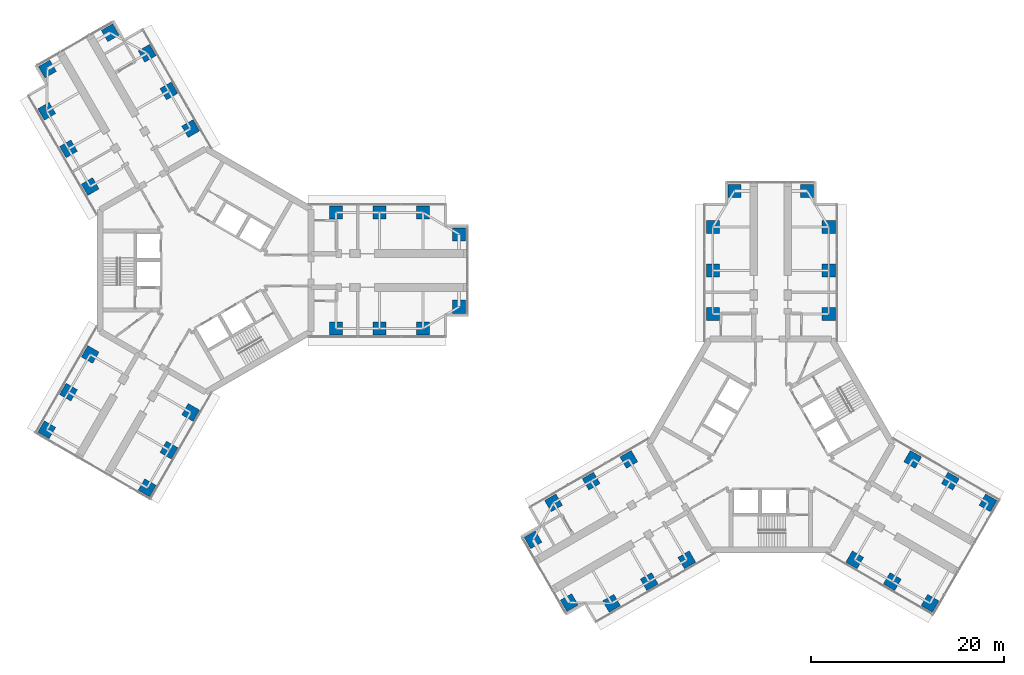
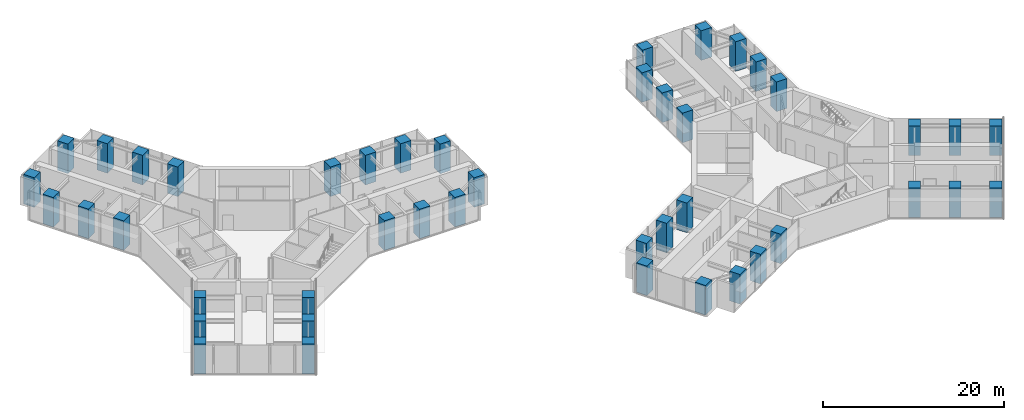
# One storey, part 1 of 21: 44 columns.
"""IFC4 building model written with IfcOpenShell, lengths in metres."""

from ifc_helpers import new_model, si_unit, direction, frame, origin, origin_2d, place, context, subcontext, project, spatial, rectangle, extrude, material, material_profile, profile_set, type_object, element, save


model = new_model("IFC4")

# Units and contexts
model_context = context("Model", 3, precision=1e-05, world=origin(), true_north=direction((0.0, 1.0)))
body_context = subcontext(model_context, "Body", "Model", "MODEL_VIEW")
ifc_project = project(units=[si_unit("LENGTHUNIT", "METRE"), si_unit("AREAUNIT", "SQUARE_METRE"), si_unit("VOLUMEUNIT", "CUBIC_METRE"), si_unit("PLANEANGLEUNIT", "RADIAN"), si_unit("MASSUNIT", "GRAM", prefix="KILO")], contexts=[model_context])

# Site, building, storey
site_placement = place(None, origin())
site = spatial("IfcSite", under=ifc_project, at=site_placement, CompositionType="ELEMENT")
building_placement = place(site_placement, origin())
building = spatial("IfcBuilding", under=site, at=building_placement, Name="Upepo Twin Towers", CompositionType="ELEMENT")
storey_placement = place(building_placement, frame((0.0, 0.0, 109.5)))
storey = spatial("IfcBuildingStorey", under=building, at=storey_placement, Name="L26", CompositionType="ELEMENT", Elevation=109.5)

# Columns
ifc_material = material(Name="Concrete C60/75", Category="concrete")
ifc_material_profile = material_profile(ifc_material, rectangle(XDim=1.35009765625, YDim=1.35009765625, at=origin_2d()), Name="RC 1350x1350")
ifc_profile_set = profile_set([ifc_material_profile], Name="Concrete C60/75")
column_type = type_object("IfcColumnType", Name="Tower column RC 1350x1350", PredefinedType="COLUMN", material=ifc_profile_set)
for number, where, z_axis, x_axis, name in (
    (1, (13.5, 6.0, 0.0), (0.0, 0.0, 1.0), (1.0, 0.0, 0.0), "T1 column AL135"),
    (2, (13.5, -6.0, 0.0), (0.0, 0.0, 1.0), (1.0, 0.0, 0.0), "T1 column AR135"),
    (3, (18.0, 6.0, 0.0), (0.0, 0.0, 1.0), (1.0, 0.0, 0.0), "T1 column AL180"),
    (4, (18.0, -6.0, 0.0), (0.0, 0.0, 1.0), (1.0, 0.0, 0.0), "T1 column AR180"),
    (5, (22.5, 6.0, 0.0), (0.0, 0.0, 1.0), (1.0, 0.0, 0.0), "T1 column AL225"),
    (6, (22.5, -6.0, 0.0), (0.0, 0.0, 1.0), (1.0, 0.0, 0.0), "T1 column AR225"),
    (7, (26.25, 3.75, 0.0), (0.0, 0.0, 1.0), (1.0, 0.0, 0.0), "T1 column ALN"),
    (8, (26.25, -3.75, 0.0), (0.0, 0.0, 1.0), (1.0, 0.0, 0.0), "T1 column ARN"),
    (9, (-11.946044921875, 8.69140625, 0.0), (0.0, 0.0, 1.0), (0.866025403784, 0.5, 0.0), "T1 column BL135"),
    (10, (-1.553955078125, 14.69140625, 0.0), (0.0, 0.0, 1.0), (0.866025403784, 0.5, 0.0), "T1 column BR135"),
    (11, (-14.196044921875, 12.58837890625, 0.0), (0.0, 0.0, 1.0), (0.866025403784, 0.5, 0.0), "T1 column BL180"),
    (12, (-3.803955078125, 18.58837890625, 0.0), (0.0, 0.0, 1.0), (0.866025403784, 0.5, 0.0), "T1 column BR180"),
    (13, (-16.446044921875, 16.485595703125, 0.0), (0.0, 0.0, 1.0), (0.866025403784, 0.5, 0.0), "T1 column BL225"),
    (14, (-6.053955078125, 22.485595703125, 0.0), (0.0, 0.0, 1.0), (0.866025403784, 0.5, 0.0), "T1 column BR225"),
    (15, (-16.37255859375, 20.858154296875, 0.0), (0.0, 0.0, 1.0), (0.866025403784, 0.5, 0.0), "T1 column BLN"),
    (16, (-9.87744140625, 24.608154296875, 0.0), (0.0, 0.0, 1.0), (0.866025403784, 0.5, 0.0), "T1 column BRN"),
    (17, (-1.553955078125, -14.69140625, 0.0), (0.0, 0.0, 1.0), (0.5, 0.866025403784, 0.0), "T1 column CL135"),
    (18, (-11.946044921875, -8.69140625, 0.0), (0.0, 0.0, 1.0), (0.5, 0.866025403784, 0.0), "T1 column CR135"),
    (19, (-3.803955078125, -18.58837890625, 0.0), (0.0, 0.0, 1.0), (0.5, 0.866025403784, 0.0), "T1 column CL180"),
    (20, (-14.196044921875, -12.58837890625, 0.0), (0.0, 0.0, 1.0), (0.5, 0.866025403784, 0.0), "T1 column CR180"),
    (21, (-6.053955078125, -22.485595703125, 0.0), (0.0, 0.0, 1.0), (0.5, 0.866025403784, 0.0), "T1 column CL225"),
    (22, (-16.446044921875, -16.485595703125, 0.0), (0.0, 0.0, 1.0), (0.5, 0.866025403784, 0.0), "T1 column CR225"),
    (23, (52.5, -4.5, 0.0), (0.0, 0.0, 1.0), (1.0, 0.0, 0.0), "T2 column AL135"),
    (24, (64.5, -4.5, 0.0), (0.0, 0.0, 1.0), (1.0, 0.0, 0.0), "T2 column AR135"),
    (25, (52.5, 0.0, 0.0), (0.0, 0.0, 1.0), (1.0, 0.0, 0.0), "T2 column AL180"),
    (26, (64.5, 0.0, 0.0), (0.0, 0.0, 1.0), (1.0, 0.0, 0.0), "T2 column AR180"),
    (27, (52.5, 4.5, 0.0), (0.0, 0.0, 1.0), (1.0, 0.0, 0.0), "T2 column AL225"),
    (28, (64.5, 4.5, 0.0), (0.0, 0.0, 1.0), (1.0, 0.0, 0.0), "T2 column AR225"),
    (29, (54.75, 8.25, 0.0), (0.0, 0.0, 1.0), (1.0, 0.0, 0.0), "T2 column ALN"),
    (30, (62.25, 8.25, 0.0), (0.0, 0.0, 1.0), (1.0, 0.0, 0.0), "T2 column ARN"),
    (31, (49.80859375, -29.946044921875, 0.0), (0.0, 0.0, 1.0), (0.866025403784, 0.5, 0.0), "T2 column BL135"),
    (32, (43.80859375, -19.553955078125, 0.0), (0.0, 0.0, 1.0), (0.866025403784, 0.5, 0.0), "T2 column BR135"),
    (33, (45.91162109375, -32.196044921875, 0.0), (0.0, 0.0, 1.0), (0.866025403784, 0.5, 0.0), "T2 column BL180"),
    (34, (39.91162109375, -21.803955078125, 0.0), (0.0, 0.0, 1.0), (0.866025403784, 0.5, 0.0), "T2 column BR180"),
    (35, (42.014404296875, -34.446044921875, 0.0), (0.0, 0.0, 1.0), (0.866025403784, 0.5, 0.0), "T2 column BL225"),
    (36, (36.014404296875, -24.053955078125, 0.0), (0.0, 0.0, 1.0), (0.866025403784, 0.5, 0.0), "T2 column BR225"),
    (37, (37.641845703125, -34.37255859375, 0.0), (0.0, 0.0, 1.0), (0.866025403784, 0.5, 0.0), "T2 column BLN"),
    (38, (33.891845703125, -27.87744140625, 0.0), (0.0, 0.0, 1.0), (0.866025403784, 0.5, 0.0), "T2 column BRN"),
    (39, (73.19140625, -19.553955078125, 0.0), (0.0, 0.0, 1.0), (0.5, 0.866025403784, 0.0), "T2 column CL135"),
    (40, (67.19140625, -29.946044921875, 0.0), (0.0, 0.0, 1.0), (0.5, 0.866025403784, 0.0), "T2 column CR135"),
    (41, (77.08837890625, -21.803955078125, 0.0), (0.0, 0.0, 1.0), (0.5, 0.866025403784, 0.0), "T2 column CL180"),
    (42, (71.08837890625, -32.196044921875, 0.0), (0.0, 0.0, 1.0), (0.5, 0.866025403784, 0.0), "T2 column CR180"),
    (43, (80.985595703125, -24.053955078125, 0.0), (0.0, 0.0, 1.0), (0.5, 0.866025403784, 0.0), "T2 column CL225"),
    (44, (74.985595703125, -34.446044921875, 0.0), (0.0, 0.0, 1.0), (0.5, 0.866025403784, 0.0), "T2 column CR225"),
):
    element("IfcColumn", number, at=place(storey_placement, frame(where, z_axis=z_axis, x_axis=x_axis)), inside=storey, type_object=column_type, Name=name, PredefinedType="COLUMN", context=body_context, shape_type="SweptSolid", body=[
        extrude(rectangle(XDim=1.35009765625, YDim=1.35009765625, at=origin_2d()), origin(), (0.0, 0.0, 1.0), 4.0),
    ])

save(model, "model.ifc")
